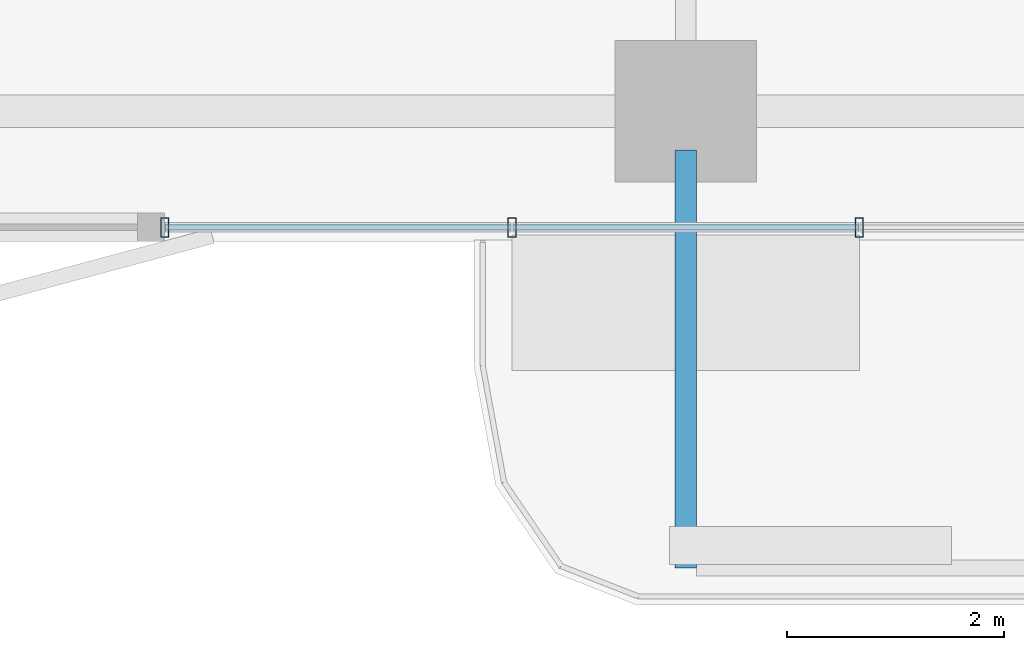
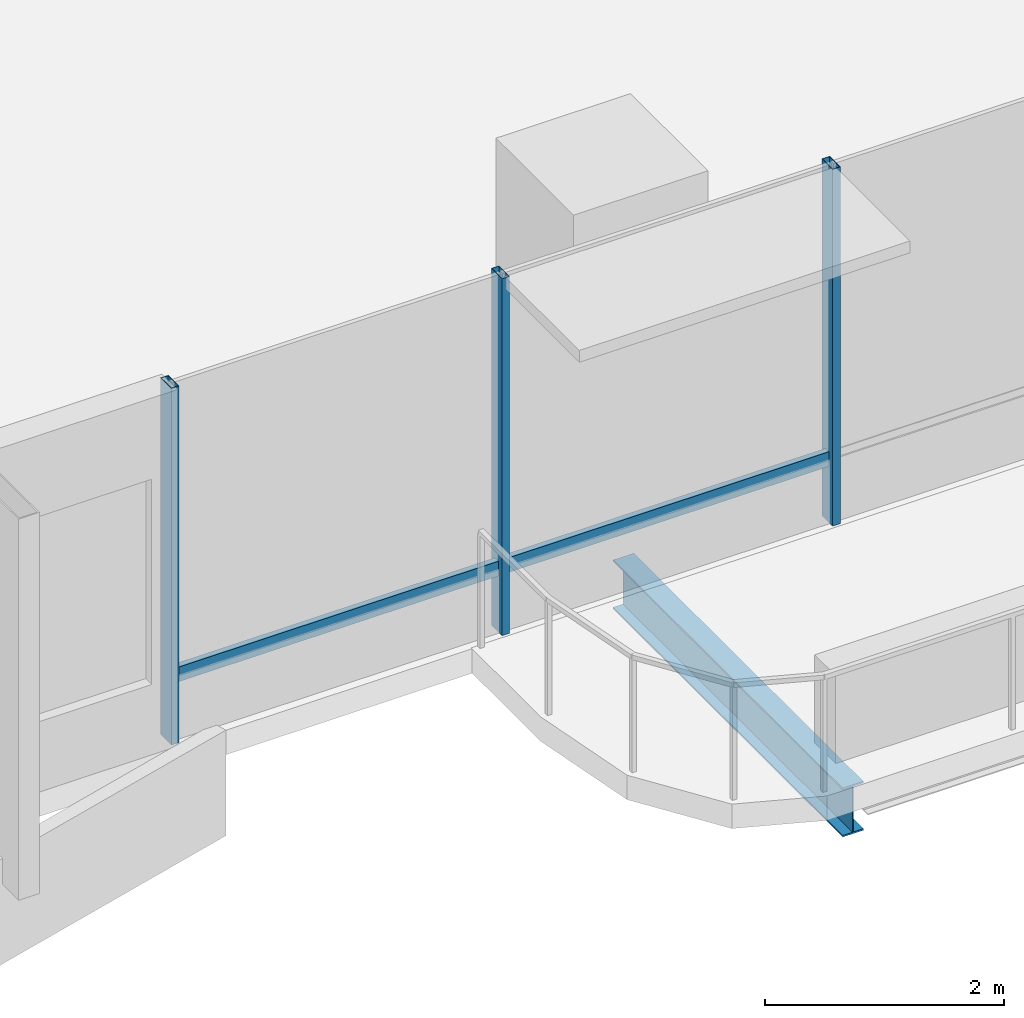
# One storey, part 2 of 24: 5 members, 1 beam, 1 element without a shape of its own.
"""IFC4 building model written with IfcOpenShell, lengths in metres."""

from ifc_helpers import new_model, si_unit, direction, frame, origin, origin_2d, place, context, subcontext, project, spatial, hollow_rectangle, i_section, extrude, material, layer, layer_set, material_profile, profile_set, type_object, element, aggregate, save


model = new_model("IFC4")

# Units and contexts
model_context = context("Model", 3, precision=1e-05, world=origin(), true_north=direction((0.0, 1.0)))
body_context = subcontext(model_context, "Body", "Model", "MODEL_VIEW")
ifc_project = project(units=[si_unit("LENGTHUNIT", "METRE"), si_unit("AREAUNIT", "SQUARE_METRE"), si_unit("VOLUMEUNIT", "CUBIC_METRE"), si_unit("PLANEANGLEUNIT", "RADIAN"), si_unit("MASSUNIT", "GRAM", prefix="KILO")], contexts=[model_context])

# Site, building, storey
site_placement = place(None, origin())
site = spatial("IfcSite", under=ifc_project, at=site_placement, CompositionType="ELEMENT")
building_placement = place(site_placement, origin())
building = spatial("IfcBuilding", under=site, at=building_placement, Name="Belovzor Exchange Tower", CompositionType="ELEMENT")
storey_placement = place(building_placement, frame((0.0, 0.0, 129.0)))
storey = spatial("IfcBuildingStorey", under=building, at=storey_placement, Name="L31", CompositionType="ELEMENT", Elevation=129.0)

# Beam
ifc_material_1 = material(Name="Steel S355", Category="steel")
ifc_material_profile_1 = material_profile(ifc_material_1, i_section(OverallWidth=0.199951171875, OverallDepth=0.5, WebThickness=0.01025390625, FlangeThickness=0.01611328125, at=origin_2d()))
ifc_profile_set_1 = profile_set([ifc_material_profile_1], Name="Steel S355")
beam_type = type_object("IfcBeamType", Name="Planted Balcony Cantilever Beam IPE 500", PredefinedType="BEAM", material=ifc_profile_set_1)
beam_placement = place(storey_placement, frame((28.800048828125, 3.5419921875, -0.5), z_axis=(0.0, -1.0, 0.0), x_axis=(1.0, 0.0, 0.0)))
element("IfcBeam", 1, at=beam_placement, inside=storey, type_object=beam_type, Name="BC-500 Planted Balcony Cantilever Beam IPE 500", PredefinedType="BEAM", context=body_context, shape_type="SweptSolid", body=[
    extrude(i_section(OverallWidth=0.199951171875, OverallDepth=0.5, WebThickness=0.01025390625, FlangeThickness=0.01611328125, at=origin_2d()), origin(), (0.0, 0.0, 1.0), 3.85009765625),
])

# Curtain wall, members
ifc_material_2 = material(Name="Anodised Aluminium Framing", Category="aluminium")
ifc_layer = layer(ifc_material_2, 0.179931640625)
ifc_layer_set = layer_set([ifc_layer], Name="Anodised Aluminium Framing")
curtain_wall_type = type_object("IfcCurtainWallType", Name="Recessed Loggia Low-Iron Triple-Glazed Curtain Wall", PredefinedType="NOTDEFINED", material=ifc_layer_set)
curtain_wall_placement = place(storey_placement, origin())
curtain_wall = element("IfcCurtainWall", 2, at=curtain_wall_placement, inside=storey, type_object=curtain_wall_type, Name="CW3 Recessed Loggia Low-Iron Triple-Glazed Curtain Wall L31", PredefinedType="NOTDEFINED")
ifc_material_3 = material(Name="Steel S355", Category="steel")
ifc_material_profile_2 = material_profile(ifc_material_3, hollow_rectangle(XDim=0.074951171875, YDim=0.179931640625, WallThickness=0.0048828125, at=origin_2d()))
ifc_profile_set_2 = profile_set([ifc_material_profile_2], Name="Steel S355")
member_type_1 = type_object("IfcMemberType", Name="Thermally Broken Curtain Wall Mullion 180x75", PredefinedType="MULLION", material=ifc_profile_set_2)
member_1_placement = place(storey_placement, frame((30.39990234375, 2.830078125, 0.0), z_axis=(0.0, 0.0, 1.0), x_axis=(-1.0, 0.0, 0.0)))
member_1 = element("IfcMember", 3, at=member_1_placement, type_object=member_type_1, Name="CW-M180 Curtain Wall Mullion 2", PredefinedType="MULLION", context=body_context, shape_type="SweptSolid", body=[
    extrude(hollow_rectangle(XDim=0.074951171875, YDim=0.179931640625, WallThickness=0.0048828125, at=origin_2d()), origin(), (0.0, 0.0, 1.0), 3.64990234375),
])
member_2_placement = place(storey_placement, frame((27.199951171875, 2.830078125, 0.0), z_axis=(0.0, 0.0, 1.0), x_axis=(-1.0, 0.0, 0.0)))
member_2 = element("IfcMember", 4, at=member_2_placement, type_object=member_type_1, Name="CW-M180 Curtain Wall Mullion 3", PredefinedType="MULLION", context=body_context, shape_type="SweptSolid", body=[
    extrude(hollow_rectangle(XDim=0.074951171875, YDim=0.179931640625, WallThickness=0.0048828125, at=origin_2d()), origin(), (0.0, 0.0, 1.0), 3.64990234375),
])
member_3_placement = place(storey_placement, frame((24.0, 2.830078125, 0.0), z_axis=(0.0, 0.0, 1.0), x_axis=(-1.0, 0.0, 0.0)))
member_3 = element("IfcMember", 5, at=member_3_placement, type_object=member_type_1, Name="CW-M180 Curtain Wall Mullion 4", PredefinedType="MULLION", context=body_context, shape_type="SweptSolid", body=[
    extrude(hollow_rectangle(XDim=0.074951171875, YDim=0.179931640625, WallThickness=0.0048828125, at=origin_2d()), origin(), (0.0, 0.0, 1.0), 3.64990234375),
])
ifc_material_4 = material(Name="Steel S355", Category="steel")
ifc_material_profile_3 = material_profile(ifc_material_4, hollow_rectangle(XDim=0.06005859375, YDim=0.14990234375, WallThickness=0.00390625, at=origin_2d()))
ifc_profile_set_3 = profile_set([ifc_material_profile_3], Name="Steel S355")
member_type_2 = type_object("IfcMemberType", Name="Thermally Broken Curtain Wall Transom 150x60", PredefinedType="USERDEFINED", material=ifc_profile_set_3)
member_4_placement = place(storey_placement, frame((30.39208984375, 2.830078125, 0.64990234375), z_axis=(-1.0, 0.0, 0.0), x_axis=(0.0, -1.0, 0.0)))
member_4 = element("IfcMember", 6, at=member_4_placement, type_object=member_type_2, Name="CW-T150 Curtain Wall Transom 2", ObjectType="TRANSOM", PredefinedType="USERDEFINED", context=body_context, shape_type="SweptSolid", body=[
    extrude(hollow_rectangle(XDim=0.06005859375, YDim=0.14990234375, WallThickness=0.00390625, at=origin_2d()), origin(), (0.0, 0.0, 1.0), 3.18408203125),
])
member_5_placement = place(storey_placement, frame((27.19189453125, 2.830078125, 0.64990234375), z_axis=(-1.0, 0.0, 0.0), x_axis=(0.0, -1.0, 0.0)))
member_5 = element("IfcMember", 7, at=member_5_placement, type_object=member_type_2, Name="CW-T150 Curtain Wall Transom 3", ObjectType="TRANSOM", PredefinedType="USERDEFINED", context=body_context, shape_type="SweptSolid", body=[
    extrude(hollow_rectangle(XDim=0.06005859375, YDim=0.14990234375, WallThickness=0.00390625, at=origin_2d()), origin(), (0.0, 0.0, 1.0), 3.183837890625),
])
aggregate(curtain_wall, [member_1, member_2, member_3, member_4, member_5])

save(model, "model.ifc")
